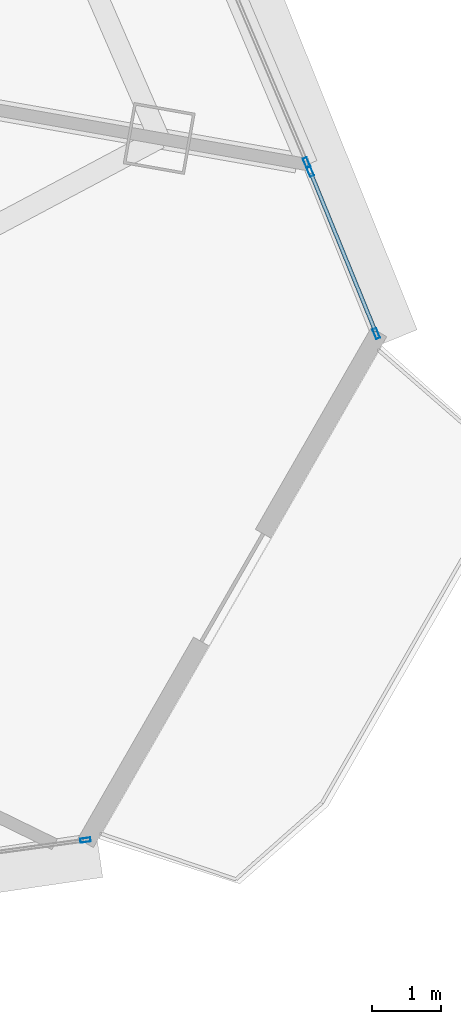
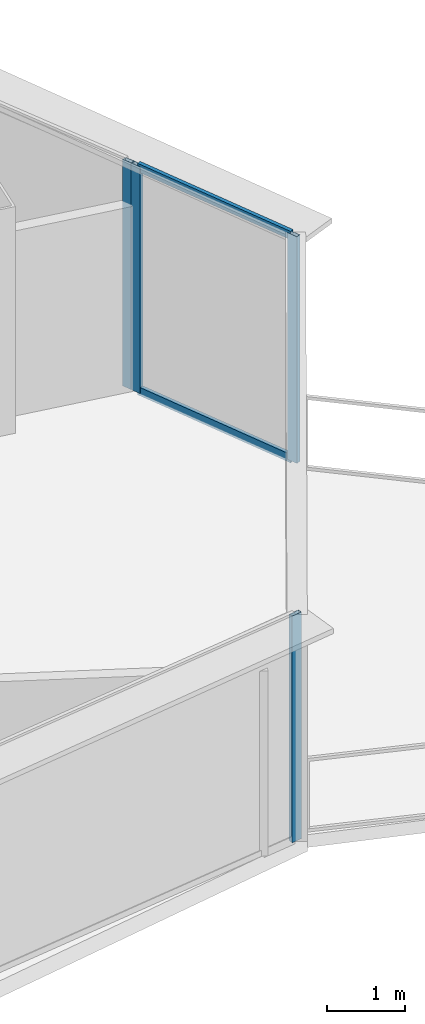
# One storey, part 24 of 37: 6 members, 3 elements without a shape of their own.
"""IFC4 building model written with IfcOpenShell, lengths in metres."""

from ifc_helpers import new_model, si_unit, direction, frame, origin, origin_2d, place, context, subcontext, project, spatial, hollow_rectangle, extrude, source, transform, mapped, material, layer, layer_set, material_profile, profile_set, type_object, element, aggregate, save


model = new_model("IFC4")

# Units and contexts
model_context = context("Model", 3, precision=1e-05, world=origin(), true_north=direction((0.0, 1.0)))
body_context = subcontext(model_context, "Body", "Model", "MODEL_VIEW")
ifc_project = project(units=[si_unit("LENGTHUNIT", "METRE"), si_unit("AREAUNIT", "SQUARE_METRE"), si_unit("VOLUMEUNIT", "CUBIC_METRE"), si_unit("PLANEANGLEUNIT", "RADIAN"), si_unit("MASSUNIT", "GRAM", prefix="KILO"), si_unit("THERMODYNAMICTEMPERATUREUNIT", "KELVIN"), si_unit("POWERUNIT", "WATT")], contexts=[model_context])

# Site, building, storey
site_placement = place(None, origin())
site = spatial("IfcSite", under=ifc_project, at=site_placement, CompositionType="ELEMENT")
building_placement = place(site_placement, origin())
building = spatial("IfcBuilding", under=site, at=building_placement, Name="Yunzhuo Pagoda Commons", CompositionType="ELEMENT")
storey_placement = place(building_placement, frame((0.0, 0.0, 196.159912109375)))
storey = spatial("IfcBuildingStorey", under=building, at=storey_placement, Name="L49", CompositionType="ELEMENT", Elevation=196.159912109375)

# Curtain wall, member
ifc_material = material(Name="Anodized aluminium 6063-T6", Category="aluminium")
ifc_layer = layer(ifc_material, 0.14990234375)
ifc_layer_set = layer_set([ifc_layer], Name="Anodized aluminium 6063-T6")
curtain_wall_type = type_object("IfcCurtainWallType", Name="CW-MID Mid-Zone Ribbon Curtain Wall", PredefinedType="NOTDEFINED", material=ifc_layer_set)
curtain_wall_1_placement = place(storey_placement, origin())
curtain_wall_1 = element("IfcCurtainWall", 1, at=curtain_wall_1_placement, inside=storey, type_object=curtain_wall_type, Name="L49 curtain wall CW-L49-F1B5", PredefinedType="NOTDEFINED")
ifc_material_profile_1 = material_profile(ifc_material, hollow_rectangle(XDim=0.06005859375, YDim=0.14990234375, WallThickness=0.00390625, at=origin_2d()), Name="Anodized aluminium 6063-T6")
ifc_profile_set_1 = profile_set([ifc_material_profile_1], Name="Anodized aluminium 6063-T6")
member_type_1 = type_object("IfcMemberType", Name="CW-MID-M Mullion RHS 150x60x4", PredefinedType="MULLION", material=ifc_profile_set_1)
shared_shape_1 = source(origin(), body_context, "Body", "SweptSolid", [
    extrude(hollow_rectangle(XDim=0.06005859375, YDim=0.14990234375, WallThickness=0.00390625, at=origin_2d()), origin(), (0.0, 0.0, 1.0), 3.5400390625),
])
member_1_placement = place(storey_placement, frame((82.1376953125, 17.32861328125, 0.0), z_axis=(0.0, 0.0, 1.0), x_axis=(-0.135312015534, 0.990803037163, 0.0)))
member_1 = element("IfcMember", 2, at=member_1_placement, type_object=member_type_1, Name="CW mullion 2", PredefinedType="MULLION", context=body_context, shape_type="MappedRepresentation", body=[
    mapped(shared_shape_1, transform((0.0, 0.0, 0.0), scale=1.0)),
])
aggregate(curtain_wall_1, [member_1])

curtain_wall_2_placement = place(storey_placement, origin())
curtain_wall_2 = element("IfcCurtainWall", 3, at=curtain_wall_2_placement, inside=storey, type_object=curtain_wall_type, Name="L49 curtain wall CW-L49-F2B2", PredefinedType="NOTDEFINED")
member_2_placement = place(storey_placement, frame((85.341796875, 27.14111328125, 0.0), z_axis=(0.0, 0.0, 1.0), x_axis=(-0.920666607247, -0.390349840912, 0.0)))
member_2 = element("IfcMember", 4, at=member_2_placement, type_object=member_type_1, Name="CW mullion 1", PredefinedType="MULLION", context=body_context, shape_type="MappedRepresentation", body=[
    mapped(shared_shape_1, transform((0.0, 0.0, 0.0), scale=1.0)),
])
aggregate(curtain_wall_2, [member_2])

# Curtain wall, members
curtain_wall_3_placement = place(storey_placement, origin())
curtain_wall_3 = element("IfcCurtainWall", 5, at=curtain_wall_3_placement, inside=storey, type_object=curtain_wall_type, Name="L49 curtain wall CW-L49-F2B1", PredefinedType="NOTDEFINED")
member_3_placement = place(storey_placement, frame((86.3505859375, 24.666015625, 0.0), z_axis=(0.0, 0.0, 1.0), x_axis=(-0.926070937911, -0.377349463967, 0.0)))
member_3 = element("IfcMember", 6, at=member_3_placement, type_object=member_type_1, Name="CW mullion 1", PredefinedType="MULLION", context=body_context, shape_type="MappedRepresentation", body=[
    mapped(shared_shape_1, transform((0.0, 0.0, 0.0), scale=1.0)),
])
member_4_placement = place(storey_placement, frame((85.39306640625, 27.016357421875, 0.0), z_axis=(0.0, 0.0, 1.0), x_axis=(-0.926070937911, -0.377349463967, 0.0)))
member_4 = element("IfcMember", 7, at=member_4_placement, type_object=member_type_1, Name="CW mullion 2", PredefinedType="MULLION", context=body_context, shape_type="MappedRepresentation", body=[
    mapped(shared_shape_1, transform((0.0, 0.0, 0.0), scale=1.0)),
])
ifc_material_profile_2 = material_profile(ifc_material, hollow_rectangle(XDim=0.054931640625, YDim=0.1298828125, WallThickness=0.00341796875, at=origin_2d()), Name="Anodized aluminium 6063-T6")
ifc_profile_set_2 = profile_set([ifc_material_profile_2], Name="Anodized aluminium 6063-T6")
member_type_2 = type_object("IfcMemberType", Name="CW-MID-T Transom RHS 130x55x3.5", PredefinedType="USERDEFINED", material=ifc_profile_set_2)
shared_shape_2 = source(origin(), body_context, "Body", "SweptSolid", [
    extrude(hollow_rectangle(XDim=0.054931640625, YDim=0.1298828125, WallThickness=0.00341796875, at=origin_2d()), origin(), (0.0, 0.0, 1.0), 2.47802734375),
])
member_5_placement = place(storey_placement, frame((86.339599609375, 24.69384765625, 0.027587890625), z_axis=(-0.377447103133, 0.926031146526, 0.0), x_axis=(-0.926031146526, -0.377447103133, 0.0)))
member_5 = element("IfcMember", 8, at=member_5_placement, type_object=member_type_2, Name="CW transom 1.1", ObjectType="TRANSOM", PredefinedType="USERDEFINED", context=body_context, shape_type="MappedRepresentation", body=[
    mapped(shared_shape_2, transform((0.0, 0.0, 0.0), scale=1.0)),
])
member_6_placement = place(storey_placement, frame((86.339599609375, 24.69384765625, 3.5126953125), z_axis=(-0.377447103133, 0.926031146526, 0.0), x_axis=(-0.926031146526, -0.377447103133, 0.0)))
member_6 = element("IfcMember", 9, at=member_6_placement, type_object=member_type_2, Name="CW transom 1.2", ObjectType="TRANSOM", PredefinedType="USERDEFINED", context=body_context, shape_type="MappedRepresentation", body=[
    mapped(shared_shape_2, transform((0.0, 0.0, 0.0), scale=1.0)),
])
aggregate(curtain_wall_3, [member_3, member_4, member_5, member_6])

save(model, "model.ifc")
